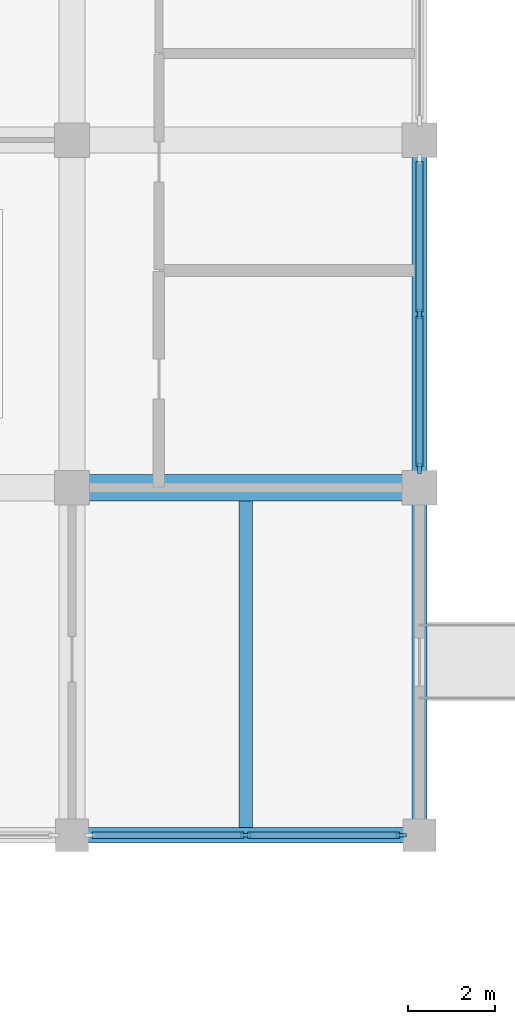
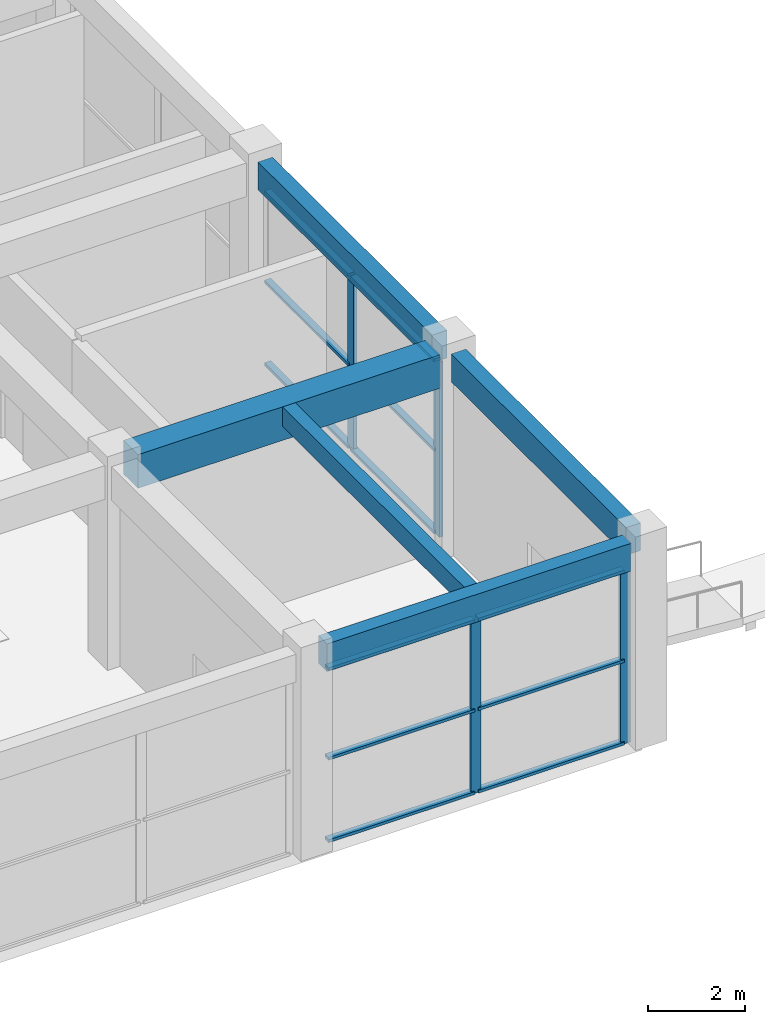
# One storey, part 36 of 86: 16 members, 5 beams, 2 elements without a shape of their own.
"""IFC4 building model written with IfcOpenShell, lengths in metres."""

from ifc_helpers import new_model, si_unit, direction, frame, origin, origin_2d, place, context, subcontext, project, spatial, rectangle, extrude, material, material_profile, profile_set, type_object, element, aggregate, save


model = new_model("IFC4")

# Units and contexts
model_context = context("Model", 3, precision=1e-05, world=origin(), true_north=direction((0.0, 1.0)))
body_context = subcontext(model_context, "Body", "Model", "MODEL_VIEW")
ifc_project = project(units=[si_unit("LENGTHUNIT", "METRE"), si_unit("AREAUNIT", "SQUARE_METRE"), si_unit("VOLUMEUNIT", "CUBIC_METRE"), si_unit("PLANEANGLEUNIT", "RADIAN"), si_unit("MASSUNIT", "GRAM", prefix="KILO")], contexts=[model_context])

# Site, building, storey
site_placement = place(None, origin())
site = spatial("IfcSite", under=ifc_project, at=site_placement, CompositionType="ELEMENT")
building_placement = place(site_placement, origin())
building = spatial("IfcBuilding", under=site, at=building_placement, Name="Kenh Van Central Station", CompositionType="ELEMENT")
storey_placement = place(building_placement, origin())
storey = spatial("IfcBuildingStorey", under=building, at=storey_placement, Name="L00", CompositionType="ELEMENT", Elevation=0.0)

# Beam
ifc_material_1 = material(Name="Concrete C35/45", Category="concrete")
ifc_material_profile_1 = material_profile(ifc_material_1, rectangle(XDim=0.60009765625, YDim=0.85009765625, at=origin_2d()), Name="RC 600x850")
ifc_profile_set_1 = profile_set([ifc_material_profile_1], Name="Concrete C35/45")
beam_type_1 = type_object("IfcBeamType", Name="BM-RC-600x850", PredefinedType="BEAM", material=ifc_profile_set_1)
beam_1_placement = place(storey_placement, frame((168.389892578125, 16.0, 4.695068359375), z_axis=(1.0, 0.0, 0.0), x_axis=(0.0, 1.0, 0.0)))
element("IfcBeam", 1, at=beam_1_placement, inside=storey, type_object=beam_type_1, Name="L00 beam 0378", PredefinedType="BEAM", context=body_context, shape_type="SweptSolid", body=[
    extrude(rectangle(XDim=0.60009765625, YDim=0.85009765625, at=origin_2d()), origin(), (0.0, 0.0, 1.0), 7.22021484375),
])

# Curtain wall, members
ifc_material_2 = material(Name="Champagne anodised aluminium", Category="aluminium")
curtain_wall_type = type_object("IfcCurtainWallType", Name="CW-OPER-A", PredefinedType="NOTDEFINED", material=ifc_material_2)
curtain_wall_1_placement = place(storey_placement, origin())
curtain_wall_1 = element("IfcCurtainWall", 2, at=curtain_wall_1_placement, inside=storey, type_object=curtain_wall_type, Name="L00 curtain wall 053", PredefinedType="NOTDEFINED")
ifc_material_profile_2 = material_profile(ifc_material_2, rectangle(XDim=0.087890625, YDim=0.239990234375, at=origin_2d()), Name="AL 88x240")
ifc_profile_set_2 = profile_set([ifc_material_profile_2], Name="Champagne anodised aluminium")
member_type_1 = type_object("IfcMemberType", Name="CWM-60x140", PredefinedType="MULLION", material=ifc_profile_set_2)
member_1_placement = place(storey_placement, frame((172.0, 8.0, 0.0), z_axis=(0.0, 0.0, 1.0), x_axis=(0.0, 1.0, 0.0)))
member_1 = element("IfcMember", 3, at=member_1_placement, type_object=member_type_1, Name="CW-07 mullion 2", PredefinedType="MULLION", context=body_context, shape_type="SweptSolid", body=[
    extrude(rectangle(XDim=0.087890625, YDim=0.239990234375, at=origin_2d()), origin(), (0.0, 0.0, 1.0), 4.419921875),
])
member_2_placement = place(storey_placement, frame((175.5810546875, 8.0, 0.0), z_axis=(0.0, 0.0, 1.0), x_axis=(0.0, 1.0, 0.0)))
member_2 = element("IfcMember", 4, at=member_2_placement, type_object=member_type_1, Name="CW-07 mullion 3", PredefinedType="MULLION", context=body_context, shape_type="SweptSolid", body=[
    extrude(rectangle(XDim=0.087890625, YDim=0.239990234375, at=origin_2d()), origin(), (0.0, 0.0, 1.0), 4.419921875),
])

curtain_wall_2_placement = place(storey_placement, origin())
curtain_wall_2 = element("IfcCurtainWall", 5, at=curtain_wall_2_placement, inside=storey, type_object=curtain_wall_type, Name="L00 curtain wall 054", PredefinedType="NOTDEFINED")
member_3_placement = place(storey_placement, frame((176.0, 16.444091796875, 0.0), z_axis=(0.0, 0.0, 1.0), x_axis=(-1.0, 0.0, 0.0)))
member_3 = element("IfcMember", 6, at=member_3_placement, type_object=member_type_1, Name="CW-07 mullion 1", PredefinedType="MULLION", context=body_context, shape_type="SweptSolid", body=[
    extrude(rectangle(XDim=0.087890625, YDim=0.239990234375, at=origin_2d()), origin(), (0.0, 0.0, 1.0), 4.419921875),
])
member_4_placement = place(storey_placement, frame((176.0, 20.0, 0.0), z_axis=(0.0, 0.0, 1.0), x_axis=(-1.0, 0.0, 0.0)))
member_4 = element("IfcMember", 7, at=member_4_placement, type_object=member_type_1, Name="CW-07 mullion 2", PredefinedType="MULLION", context=body_context, shape_type="SweptSolid", body=[
    extrude(rectangle(XDim=0.087890625, YDim=0.239990234375, at=origin_2d()), origin(), (0.0, 0.0, 1.0), 4.419921875),
])

# Member
ifc_material_profile_3 = material_profile(ifc_material_2, rectangle(XDim=0.155029296875, YDim=0.072021484375, at=origin_2d()), Name="AL 155x72")
ifc_profile_set_3 = profile_set([ifc_material_profile_3], Name="Champagne anodised aluminium")
member_type_2 = type_object("IfcMemberType", Name="CWT-120x60", PredefinedType="USERDEFINED", material=ifc_profile_set_3)
member_5_placement = place(storey_placement, frame((168.462890625, 8.0, 0.035888671875), z_axis=(1.0, 0.0, 0.0), x_axis=(0.0, 1.0, 0.0)))
member_5 = element("IfcMember", 8, at=member_5_placement, type_object=member_type_2, Name="CW-07 transom 1.1", ObjectType="TRANSOM", PredefinedType="USERDEFINED", context=body_context, shape_type="SweptSolid", body=[
    extrude(rectangle(XDim=0.155029296875, YDim=0.072021484375, at=origin_2d()), origin(), (0.0, 0.0, 1.0), 3.4931640625),
])

member_6_placement = place(storey_placement, frame((168.462890625, 8.0, 2.12158203125), z_axis=(1.0, 0.0, 0.0), x_axis=(0.0, 1.0, 0.0)))
member_6 = element("IfcMember", 9, at=member_6_placement, type_object=member_type_2, Name="CW-07 transom 1.2", ObjectType="TRANSOM", PredefinedType="USERDEFINED", context=body_context, shape_type="SweptSolid", body=[
    extrude(rectangle(XDim=0.155029296875, YDim=0.072021484375, at=origin_2d()), origin(), (0.0, 0.0, 1.0), 3.4931640625),
])

member_7_placement = place(storey_placement, frame((168.462890625, 8.0, 4.384033203125), z_axis=(1.0, 0.0, 0.0), x_axis=(0.0, 1.0, 0.0)))
member_7 = element("IfcMember", 10, at=member_7_placement, type_object=member_type_2, Name="CW-07 transom 1.3", ObjectType="TRANSOM", PredefinedType="USERDEFINED", context=body_context, shape_type="SweptSolid", body=[
    extrude(rectangle(XDim=0.155029296875, YDim=0.072021484375, at=origin_2d()), origin(), (0.0, 0.0, 1.0), 3.4931640625),
])

member_8_placement = place(storey_placement, frame((172.0439453125, 8.0, 0.035888671875), z_axis=(1.0, 0.0, 0.0), x_axis=(0.0, 1.0, 0.0)))
member_8 = element("IfcMember", 11, at=member_8_placement, type_object=member_type_2, Name="CW-07 transom 2.1", ObjectType="TRANSOM", PredefinedType="USERDEFINED", context=body_context, shape_type="SweptSolid", body=[
    extrude(rectangle(XDim=0.155029296875, YDim=0.072021484375, at=origin_2d()), origin(), (0.0, 0.0, 1.0), 3.4931640625),
])

member_9_placement = place(storey_placement, frame((172.0439453125, 8.0, 2.12158203125), z_axis=(1.0, 0.0, 0.0), x_axis=(0.0, 1.0, 0.0)))
member_9 = element("IfcMember", 12, at=member_9_placement, type_object=member_type_2, Name="CW-07 transom 2.2", ObjectType="TRANSOM", PredefinedType="USERDEFINED", context=body_context, shape_type="SweptSolid", body=[
    extrude(rectangle(XDim=0.155029296875, YDim=0.072021484375, at=origin_2d()), origin(), (0.0, 0.0, 1.0), 3.4931640625),
])

member_10_placement = place(storey_placement, frame((172.0439453125, 8.0, 4.384033203125), z_axis=(1.0, 0.0, 0.0), x_axis=(0.0, 1.0, 0.0)))
member_10 = element("IfcMember", 13, at=member_10_placement, type_object=member_type_2, Name="CW-07 transom 2.3", ObjectType="TRANSOM", PredefinedType="USERDEFINED", context=body_context, shape_type="SweptSolid", body=[
    extrude(rectangle(XDim=0.155029296875, YDim=0.072021484375, at=origin_2d()), origin(), (0.0, 0.0, 1.0), 3.4931640625),
])

aggregate(curtain_wall_1, [member_1, member_2, member_5, member_6, member_7, member_8, member_9, member_10])

member_11_placement = place(storey_placement, frame((176.0, 16.488037109375, 0.035888671875), z_axis=(0.0, 1.0, 0.0), x_axis=(-1.0, 0.0, 0.0)))
member_11 = element("IfcMember", 14, at=member_11_placement, type_object=member_type_2, Name="CW-07 transom 1.1", ObjectType="TRANSOM", PredefinedType="USERDEFINED", context=body_context, shape_type="SweptSolid", body=[
    extrude(rectangle(XDim=0.155029296875, YDim=0.072021484375, at=origin_2d()), origin(), (0.0, 0.0, 1.0), 3.468017578125),
])

member_12_placement = place(storey_placement, frame((176.0, 16.488037109375, 2.12158203125), z_axis=(0.0, 1.0, 0.0), x_axis=(-1.0, 0.0, 0.0)))
member_12 = element("IfcMember", 15, at=member_12_placement, type_object=member_type_2, Name="CW-07 transom 1.2", ObjectType="TRANSOM", PredefinedType="USERDEFINED", context=body_context, shape_type="SweptSolid", body=[
    extrude(rectangle(XDim=0.155029296875, YDim=0.072021484375, at=origin_2d()), origin(), (0.0, 0.0, 1.0), 3.468017578125),
])

member_13_placement = place(storey_placement, frame((176.0, 16.488037109375, 4.384033203125), z_axis=(0.0, 1.0, 0.0), x_axis=(-1.0, 0.0, 0.0)))
member_13 = element("IfcMember", 16, at=member_13_placement, type_object=member_type_2, Name="CW-07 transom 1.3", ObjectType="TRANSOM", PredefinedType="USERDEFINED", context=body_context, shape_type="SweptSolid", body=[
    extrude(rectangle(XDim=0.155029296875, YDim=0.072021484375, at=origin_2d()), origin(), (0.0, 0.0, 1.0), 3.468017578125),
])

member_14_placement = place(storey_placement, frame((176.0, 20.0439453125, 0.035888671875), z_axis=(0.0, 1.0, 0.0), x_axis=(-1.0, 0.0, 0.0)))
member_14 = element("IfcMember", 17, at=member_14_placement, type_object=member_type_2, Name="CW-07 transom 2.1", ObjectType="TRANSOM", PredefinedType="USERDEFINED", context=body_context, shape_type="SweptSolid", body=[
    extrude(rectangle(XDim=0.155029296875, YDim=0.072021484375, at=origin_2d()), origin(), (0.0, 0.0, 1.0), 3.468017578125),
])

member_15_placement = place(storey_placement, frame((176.0, 20.0439453125, 2.12158203125), z_axis=(0.0, 1.0, 0.0), x_axis=(-1.0, 0.0, 0.0)))
member_15 = element("IfcMember", 18, at=member_15_placement, type_object=member_type_2, Name="CW-07 transom 2.2", ObjectType="TRANSOM", PredefinedType="USERDEFINED", context=body_context, shape_type="SweptSolid", body=[
    extrude(rectangle(XDim=0.155029296875, YDim=0.072021484375, at=origin_2d()), origin(), (0.0, 0.0, 1.0), 3.468017578125),
])

member_16_placement = place(storey_placement, frame((176.0, 20.0439453125, 4.384033203125), z_axis=(0.0, 1.0, 0.0), x_axis=(-1.0, 0.0, 0.0)))
member_16 = element("IfcMember", 19, at=member_16_placement, type_object=member_type_2, Name="CW-07 transom 2.3", ObjectType="TRANSOM", PredefinedType="USERDEFINED", context=body_context, shape_type="SweptSolid", body=[
    extrude(rectangle(XDim=0.155029296875, YDim=0.072021484375, at=origin_2d()), origin(), (0.0, 0.0, 1.0), 3.468017578125),
])

aggregate(curtain_wall_2, [member_3, member_4, member_11, member_12, member_13, member_14, member_15, member_16])

# Beams
ifc_material_profile_4 = material_profile(ifc_material_1, rectangle(XDim=0.300048828125, YDim=0.5, at=origin_2d()), Name="RC 300x500")
ifc_profile_set_4 = profile_set([ifc_material_profile_4], Name="Concrete C35/45")
beam_type_2 = type_object("IfcBeamType", Name="JST-RC-300x500", PredefinedType="JOIST", material=ifc_profile_set_4)
beam_2_placement = place(storey_placement, frame((172.0, 8.175048828125, 4.8701171875), z_axis=(0.0, 1.0, 0.0), x_axis=(-1.0, 0.0, 0.0)))
element("IfcBeam", 20, at=beam_2_placement, inside=storey, type_object=beam_type_2, Name="L00 floor joist 0610", PredefinedType="JOIST", context=body_context, shape_type="SweptSolid", body=[
    extrude(rectangle(XDim=0.300048828125, YDim=0.5, at=origin_2d()), origin(), (0.0, 0.0, 1.0), 7.52490234375),
])
ifc_material_profile_5 = material_profile(ifc_material_1, rectangle(XDim=0.35009765625, YDim=0.699951171875, at=origin_2d()), Name="RC 350x700")
ifc_profile_set_5 = profile_set([ifc_material_profile_5], Name="Concrete C35/45")
beam_type_3 = type_object("IfcBeamType", Name="SPD-RC-350x700", PredefinedType="SPANDREL", material=ifc_profile_set_5)
beam_3_placement = place(storey_placement, frame((168.364990234375, 8.0, 4.77001953125), z_axis=(1.0, 0.0, 0.0), x_axis=(0.0, 1.0, 0.0)))
element("IfcBeam", 21, at=beam_3_placement, inside=storey, type_object=beam_type_3, Name="L00 beam 0359", PredefinedType="SPANDREL", context=body_context, shape_type="SweptSolid", body=[
    extrude(rectangle(XDim=0.35009765625, YDim=0.699951171875, at=origin_2d()), origin(), (0.0, 0.0, 1.0), 7.27001953125),
])
beam_4_placement = place(storey_placement, frame((176.0, 8.364990234375, 4.77001953125), z_axis=(0.0, 1.0, 0.0), x_axis=(-1.0, 0.0, 0.0)))
element("IfcBeam", 22, at=beam_4_placement, inside=storey, type_object=beam_type_3, Name="L00 beam 0577", PredefinedType="SPANDREL", context=body_context, shape_type="SweptSolid", body=[
    extrude(rectangle(XDim=0.35009765625, YDim=0.699951171875, at=origin_2d()), origin(), (0.0, 0.0, 1.0), 7.2451171875),
])
beam_5_placement = place(storey_placement, frame((176.0, 16.389892578125, 4.77001953125), z_axis=(0.0, 1.0, 0.0), x_axis=(-1.0, 0.0, 0.0)))
element("IfcBeam", 23, at=beam_5_placement, inside=storey, type_object=beam_type_3, Name="L00 beam 0578", PredefinedType="SPANDREL", context=body_context, shape_type="SweptSolid", body=[
    extrude(rectangle(XDim=0.35009765625, YDim=0.699951171875, at=origin_2d()), origin(), (0.0, 0.0, 1.0), 7.22021484375),
])

save(model, "model.ifc")
